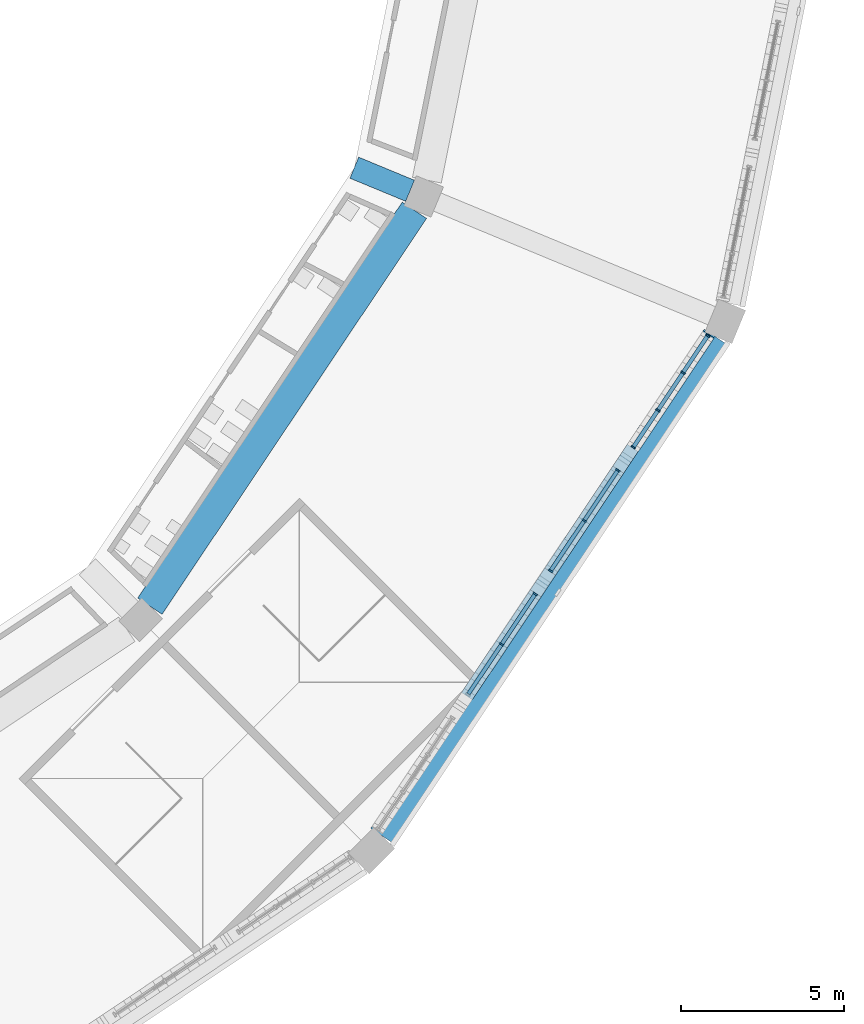
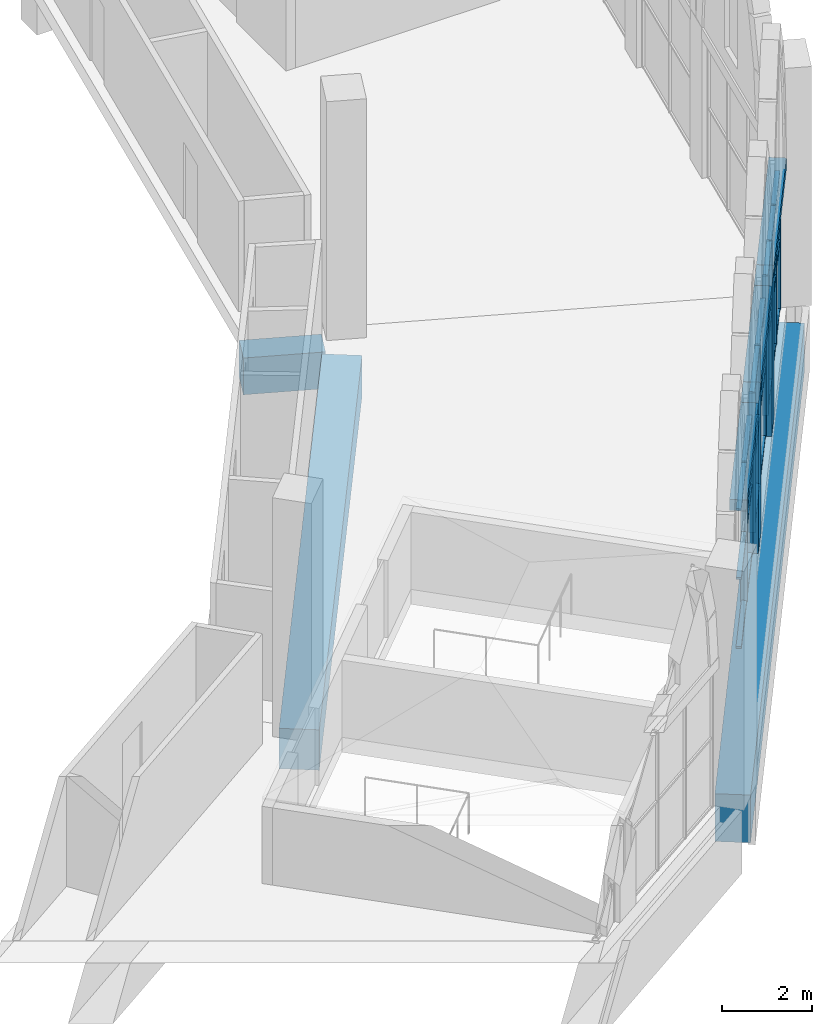
# One storey, part 19 of 130: 32 members, 6 beams, 3 elements without a shape of their own.
"""IFC4 building model written with IfcOpenShell, lengths in metres."""

from ifc_helpers import new_model, si_unit, direction, frame, origin, origin_2d, place, context, subcontext, project, spatial, rectangle, extrude, material, material_profile, profile_set, type_object, element, aggregate, save


model = new_model("IFC4")

# Units and contexts
model_context = context("Model", 3, precision=1e-05, world=origin(), true_north=direction((0.0, 1.0)))
body_context = subcontext(model_context, "Body", "Model", "MODEL_VIEW")
ifc_project = project(units=[si_unit("LENGTHUNIT", "METRE"), si_unit("AREAUNIT", "SQUARE_METRE"), si_unit("VOLUMEUNIT", "CUBIC_METRE"), si_unit("PLANEANGLEUNIT", "RADIAN"), si_unit("MASSUNIT", "GRAM", prefix="KILO")], contexts=[model_context])

# Site, building, storey
site_placement = place(None, origin())
site = spatial("IfcSite", under=ifc_project, at=site_placement, CompositionType="ELEMENT")
building_placement = place(site_placement, origin())
building = spatial("IfcBuilding", under=site, at=building_placement, Name="Ogive Plaza Stadium", CompositionType="ELEMENT")
storey_placement = place(building_placement, frame((0.0, 0.0, 22.5)))
storey = spatial("IfcBuildingStorey", under=building, at=storey_placement, Name="L05", CompositionType="ELEMENT", Elevation=22.5)

# Curtain wall, members
ifc_material_1 = material(Name="Bronze-anodised aluminium with laminated glass", Category="aluminium")
curtain_wall_type = type_object("IfcCurtainWallType", Name="Lancet curtain wall", PredefinedType="NOTDEFINED", material=ifc_material_1)
curtain_wall_1_placement = place(storey_placement, origin())
curtain_wall_1 = element("IfcCurtainWall", 1, at=curtain_wall_1_placement, inside=storey, type_object=curtain_wall_type, Name="CURTAIN WALL B09 L05", PredefinedType="NOTDEFINED")
ifc_material_2 = material(Name="Bronze-anodised aluminium", Category="aluminium")
ifc_material_profile_1 = material_profile(ifc_material_2, rectangle(XDim=0.14990234375, YDim=0.050048828125, at=origin_2d()), Name="AL 150x50")
ifc_profile_set_1 = profile_set([ifc_material_profile_1], Name="Bronze-anodised aluminium")
member_type_1 = type_object("IfcMemberType", Name="Curtain wall mullion 50x150", PredefinedType="MULLION", material=ifc_profile_set_1)
member_1_placement = place(storey_placement, frame((79.657958984375, -72.076171875, 0.0), z_axis=(0.0, 0.0, 1.0), x_axis=(0.83146961239, -0.555570232889, 0.0)))
member_1 = element("IfcMember", 2, at=member_1_placement, type_object=member_type_1, Name="CW-B09-L05.1 mullion 1", PredefinedType="MULLION", context=body_context, shape_type="SweptSolid", body=[
    extrude(rectangle(XDim=0.14990234375, YDim=0.050048828125, at=origin_2d()), origin(), (0.0, 0.0, 1.0), 3.800048828125),
])
member_2_placement = place(storey_placement, frame((78.902099609375, -73.207763671875, 0.0), z_axis=(0.0, 0.0, 1.0), x_axis=(0.83146961239, -0.555570232889, 0.0)))
member_2 = element("IfcMember", 3, at=member_2_placement, type_object=member_type_1, Name="CW-B09-L05.1 mullion 2", PredefinedType="MULLION", context=body_context, shape_type="SweptSolid", body=[
    extrude(rectangle(XDim=0.14990234375, YDim=0.050048828125, at=origin_2d()), origin(), (0.0, 0.0, 1.0), 3.800048828125),
])
member_3_placement = place(storey_placement, frame((78.13232421875, -74.35986328125, 0.0), z_axis=(0.0, 0.0, 1.0), x_axis=(0.83146961239, -0.555570232889, 0.0)))
member_3 = element("IfcMember", 4, at=member_3_placement, type_object=member_type_1, Name="CW-B09-L05.1 mullion 3", PredefinedType="MULLION", context=body_context, shape_type="SweptSolid", body=[
    extrude(rectangle(XDim=0.14990234375, YDim=0.050048828125, at=origin_2d()), origin(), (0.0, 0.0, 1.0), 3.800048828125),
])
member_4_placement = place(storey_placement, frame((77.376220703125, -75.4912109375, 0.0), z_axis=(0.0, 0.0, 1.0), x_axis=(0.83146961239, -0.555570232889, 0.0)))
member_4 = element("IfcMember", 5, at=member_4_placement, type_object=member_type_1, Name="CW-B09-L05.1 mullion 4", PredefinedType="MULLION", context=body_context, shape_type="SweptSolid", body=[
    extrude(rectangle(XDim=0.14990234375, YDim=0.050048828125, at=origin_2d()), origin(), (0.0, 0.0, 1.0), 3.800048828125),
])

curtain_wall_2_placement = place(storey_placement, origin())
curtain_wall_2 = element("IfcCurtainWall", 6, at=curtain_wall_2_placement, inside=storey, type_object=curtain_wall_type, Name="CURTAIN WALL B09 L05", PredefinedType="NOTDEFINED")
member_5_placement = place(storey_placement, frame((76.904052734375, -76.197998046875, 0.0), z_axis=(0.0, 0.0, 1.0), x_axis=(0.831469612157, -0.555570233237, 0.0)))
member_5 = element("IfcMember", 7, at=member_5_placement, type_object=member_type_1, Name="CW-B09-L05.2 mullion 1", PredefinedType="MULLION", context=body_context, shape_type="SweptSolid", body=[
    extrude(rectangle(XDim=0.14990234375, YDim=0.050048828125, at=origin_2d()), origin(), (0.0, 0.0, 1.0), 3.800048828125),
])
member_6_placement = place(storey_placement, frame((75.874267578125, -77.739013671875, 0.0), z_axis=(0.0, 0.0, 1.0), x_axis=(0.831469612157, -0.555570233237, 0.0)))
member_6 = element("IfcMember", 8, at=member_6_placement, type_object=member_type_1, Name="CW-B09-L05.2 mullion 2", PredefinedType="MULLION", context=body_context, shape_type="SweptSolid", body=[
    extrude(rectangle(XDim=0.14990234375, YDim=0.050048828125, at=origin_2d()), origin(), (0.0, 0.0, 1.0), 3.800048828125),
])
member_7_placement = place(storey_placement, frame((74.844482421875, -79.2802734375, 0.0), z_axis=(0.0, 0.0, 1.0), x_axis=(0.831469612157, -0.555570233237, 0.0)))
member_7 = element("IfcMember", 9, at=member_7_placement, type_object=member_type_1, Name="CW-B09-L05.2 mullion 3", PredefinedType="MULLION", context=body_context, shape_type="SweptSolid", body=[
    extrude(rectangle(XDim=0.14990234375, YDim=0.050048828125, at=origin_2d()), origin(), (0.0, 0.0, 1.0), 3.800048828125),
])

curtain_wall_3_placement = place(storey_placement, origin())
curtain_wall_3 = element("IfcCurtainWall", 10, at=curtain_wall_3_placement, inside=storey, type_object=curtain_wall_type, Name="CURTAIN WALL B09 L05", PredefinedType="NOTDEFINED")
member_8_placement = place(storey_placement, frame((74.372314453125, -79.987060546875, 0.0), z_axis=(0.0, 0.0, 1.0), x_axis=(0.831469612235, -0.555570233121, 0.0)))
member_8 = element("IfcMember", 11, at=member_8_placement, type_object=member_type_1, Name="CW-B09-L05.3 mullion 1", PredefinedType="MULLION", context=body_context, shape_type="SweptSolid", body=[
    extrude(rectangle(XDim=0.14990234375, YDim=0.050048828125, at=origin_2d()), origin(), (0.0, 0.0, 1.0), 3.800048828125),
])
member_9_placement = place(storey_placement, frame((73.342529296875, -81.528076171875, 0.0), z_axis=(0.0, 0.0, 1.0), x_axis=(0.831469612235, -0.555570233121, 0.0)))
member_9 = element("IfcMember", 12, at=member_9_placement, type_object=member_type_1, Name="CW-B09-L05.3 mullion 2", PredefinedType="MULLION", context=body_context, shape_type="SweptSolid", body=[
    extrude(rectangle(XDim=0.14990234375, YDim=0.050048828125, at=origin_2d()), origin(), (0.0, 0.0, 1.0), 3.800048828125),
])

# Member
ifc_material_3 = material(Name="Bronze-anodised aluminium", Category="aluminium")
ifc_material_profile_2 = material_profile(ifc_material_3, rectangle(XDim=0.1201171875, YDim=0.050048828125, at=origin_2d()), Name="AL 120x50")
ifc_profile_set_2 = profile_set([ifc_material_profile_2], Name="Bronze-anodised aluminium")
member_type_2 = type_object("IfcMemberType", Name="Curtain wall transom 50x120", PredefinedType="USERDEFINED", material=ifc_profile_set_2)
member_10_placement = place(storey_placement, frame((79.64404296875, -72.09716796875, 0.02490234375), z_axis=(-0.555559766553, -0.831476605676, 0.0), x_axis=(0.831476605676, -0.555559766553, 0.0)))
member_10 = element("IfcMember", 13, at=member_10_placement, type_object=member_type_2, Name="CW-B09-L05.1 transom 1.1", ObjectType="TRANSOM", PredefinedType="USERDEFINED", context=body_context, shape_type="SweptSolid", body=[
    extrude(rectangle(XDim=0.1201171875, YDim=0.050048828125, at=origin_2d()), origin(), (0.0, 0.0, 1.0), 1.310546875),
])

member_11_placement = place(storey_placement, frame((79.64404296875, -72.09716796875, 1.89990234375), z_axis=(-0.555559766553, -0.831476605676, 0.0), x_axis=(0.831476605676, -0.555559766553, 0.0)))
member_11 = element("IfcMember", 14, at=member_11_placement, type_object=member_type_2, Name="CW-B09-L05.1 transom 1.2", ObjectType="TRANSOM", PredefinedType="USERDEFINED", context=body_context, shape_type="SweptSolid", body=[
    extrude(rectangle(XDim=0.1201171875, YDim=0.050048828125, at=origin_2d()), origin(), (0.0, 0.0, 1.0), 1.310546875),
])

member_12_placement = place(storey_placement, frame((79.64404296875, -72.09716796875, 3.77490234375), z_axis=(-0.555559766553, -0.831476605676, 0.0), x_axis=(0.831476605676, -0.555559766553, 0.0)))
member_12 = element("IfcMember", 15, at=member_12_placement, type_object=member_type_2, Name="CW-B09-L05.1 transom 1.3", ObjectType="TRANSOM", PredefinedType="USERDEFINED", context=body_context, shape_type="SweptSolid", body=[
    extrude(rectangle(XDim=0.1201171875, YDim=0.050048828125, at=origin_2d()), origin(), (0.0, 0.0, 1.0), 1.310546875),
])

member_13_placement = place(storey_placement, frame((78.88818359375, -73.228515625, 0.02490234375), z_axis=(-0.555627772154, -0.831431163002, 0.0), x_axis=(0.831431163002, -0.555627772154, 0.0)))
member_13 = element("IfcMember", 16, at=member_13_placement, type_object=member_type_2, Name="CW-B09-L05.1 transom 2.1", ObjectType="TRANSOM", PredefinedType="USERDEFINED", context=body_context, shape_type="SweptSolid", body=[
    extrude(rectangle(XDim=0.1201171875, YDim=0.050048828125, at=origin_2d()), origin(), (0.0, 0.0, 1.0), 1.335693359375),
])

member_14_placement = place(storey_placement, frame((78.88818359375, -73.228515625, 1.89990234375), z_axis=(-0.555627772154, -0.831431163002, 0.0), x_axis=(0.831431163002, -0.555627772154, 0.0)))
member_14 = element("IfcMember", 17, at=member_14_placement, type_object=member_type_2, Name="CW-B09-L05.1 transom 2.2", ObjectType="TRANSOM", PredefinedType="USERDEFINED", context=body_context, shape_type="SweptSolid", body=[
    extrude(rectangle(XDim=0.1201171875, YDim=0.050048828125, at=origin_2d()), origin(), (0.0, 0.0, 1.0), 1.335693359375),
])

member_15_placement = place(storey_placement, frame((78.88818359375, -73.228515625, 3.77490234375), z_axis=(-0.555627772154, -0.831431163002, 0.0), x_axis=(0.831431163002, -0.555627772154, 0.0)))
member_15 = element("IfcMember", 18, at=member_15_placement, type_object=member_type_2, Name="CW-B09-L05.1 transom 2.3", ObjectType="TRANSOM", PredefinedType="USERDEFINED", context=body_context, shape_type="SweptSolid", body=[
    extrude(rectangle(XDim=0.1201171875, YDim=0.050048828125, at=origin_2d()), origin(), (0.0, 0.0, 1.0), 1.335693359375),
])

member_16_placement = place(storey_placement, frame((78.118408203125, -74.380615234375, 0.02490234375), z_axis=(-0.555602496438, -0.83144805367, 0.0), x_axis=(0.83144805367, -0.555602496438, 0.0)))
member_16 = element("IfcMember", 19, at=member_16_placement, type_object=member_type_2, Name="CW-B09-L05.1 transom 3.1", ObjectType="TRANSOM", PredefinedType="USERDEFINED", context=body_context, shape_type="SweptSolid", body=[
    extrude(rectangle(XDim=0.1201171875, YDim=0.050048828125, at=origin_2d()), origin(), (0.0, 0.0, 1.0), 1.310791015625),
])

member_17_placement = place(storey_placement, frame((78.118408203125, -74.380615234375, 1.89990234375), z_axis=(-0.555602496438, -0.83144805367, 0.0), x_axis=(0.83144805367, -0.555602496438, 0.0)))
member_17 = element("IfcMember", 20, at=member_17_placement, type_object=member_type_2, Name="CW-B09-L05.1 transom 3.2", ObjectType="TRANSOM", PredefinedType="USERDEFINED", context=body_context, shape_type="SweptSolid", body=[
    extrude(rectangle(XDim=0.1201171875, YDim=0.050048828125, at=origin_2d()), origin(), (0.0, 0.0, 1.0), 1.310791015625),
])

member_18_placement = place(storey_placement, frame((78.118408203125, -74.380615234375, 3.77490234375), z_axis=(-0.555602496438, -0.83144805367, 0.0), x_axis=(0.83144805367, -0.555602496438, 0.0)))
member_18 = element("IfcMember", 21, at=member_18_placement, type_object=member_type_2, Name="CW-B09-L05.1 transom 3.3", ObjectType="TRANSOM", PredefinedType="USERDEFINED", context=body_context, shape_type="SweptSolid", body=[
    extrude(rectangle(XDim=0.1201171875, YDim=0.050048828125, at=origin_2d()), origin(), (0.0, 0.0, 1.0), 1.310791015625),
])

aggregate(curtain_wall_1, [member_1, member_2, member_3, member_4, member_10, member_11, member_12, member_13, member_14, member_15, member_16, member_17, member_18])

member_19_placement = place(storey_placement, frame((76.89013671875, -76.21875, 0.02490234375), z_axis=(-0.555574613559, -0.831466685303, 0.0), x_axis=(0.831466685303, -0.555574613559, 0.0)))
member_19 = element("IfcMember", 22, at=member_19_placement, type_object=member_type_2, Name="CW-B09-L05.2 transom 1.1", ObjectType="TRANSOM", PredefinedType="USERDEFINED", context=body_context, shape_type="SweptSolid", body=[
    extrude(rectangle(XDim=0.1201171875, YDim=0.050048828125, at=origin_2d()), origin(), (0.0, 0.0, 1.0), 1.803466796875),
])

member_20_placement = place(storey_placement, frame((76.89013671875, -76.21875, 1.89990234375), z_axis=(-0.555574613559, -0.831466685303, 0.0), x_axis=(0.831466685303, -0.555574613559, 0.0)))
member_20 = element("IfcMember", 23, at=member_20_placement, type_object=member_type_2, Name="CW-B09-L05.2 transom 1.2", ObjectType="TRANSOM", PredefinedType="USERDEFINED", context=body_context, shape_type="SweptSolid", body=[
    extrude(rectangle(XDim=0.1201171875, YDim=0.050048828125, at=origin_2d()), origin(), (0.0, 0.0, 1.0), 1.803466796875),
])

member_21_placement = place(storey_placement, frame((76.89013671875, -76.21875, 3.77490234375), z_axis=(-0.555574613559, -0.831466685303, 0.0), x_axis=(0.831466685303, -0.555574613559, 0.0)))
member_21 = element("IfcMember", 24, at=member_21_placement, type_object=member_type_2, Name="CW-B09-L05.2 transom 1.3", ObjectType="TRANSOM", PredefinedType="USERDEFINED", context=body_context, shape_type="SweptSolid", body=[
    extrude(rectangle(XDim=0.1201171875, YDim=0.050048828125, at=origin_2d()), origin(), (0.0, 0.0, 1.0), 1.803466796875),
])

member_22_placement = place(storey_placement, frame((75.8603515625, -77.760009765625, 0.02490234375), z_axis=(-0.555574613559, -0.831466685303, 0.0), x_axis=(0.831466685303, -0.555574613559, 0.0)))
member_22 = element("IfcMember", 25, at=member_22_placement, type_object=member_type_2, Name="CW-B09-L05.2 transom 2.1", ObjectType="TRANSOM", PredefinedType="USERDEFINED", context=body_context, shape_type="SweptSolid", body=[
    extrude(rectangle(XDim=0.1201171875, YDim=0.050048828125, at=origin_2d()), origin(), (0.0, 0.0, 1.0), 1.803466796875),
])

member_23_placement = place(storey_placement, frame((75.8603515625, -77.760009765625, 1.89990234375), z_axis=(-0.555574613559, -0.831466685303, 0.0), x_axis=(0.831466685303, -0.555574613559, 0.0)))
member_23 = element("IfcMember", 26, at=member_23_placement, type_object=member_type_2, Name="CW-B09-L05.2 transom 2.2", ObjectType="TRANSOM", PredefinedType="USERDEFINED", context=body_context, shape_type="SweptSolid", body=[
    extrude(rectangle(XDim=0.1201171875, YDim=0.050048828125, at=origin_2d()), origin(), (0.0, 0.0, 1.0), 1.803466796875),
])

member_24_placement = place(storey_placement, frame((75.8603515625, -77.760009765625, 3.77490234375), z_axis=(-0.555574613559, -0.831466685303, 0.0), x_axis=(0.831466685303, -0.555574613559, 0.0)))
member_24 = element("IfcMember", 27, at=member_24_placement, type_object=member_type_2, Name="CW-B09-L05.2 transom 2.3", ObjectType="TRANSOM", PredefinedType="USERDEFINED", context=body_context, shape_type="SweptSolid", body=[
    extrude(rectangle(XDim=0.1201171875, YDim=0.050048828125, at=origin_2d()), origin(), (0.0, 0.0, 1.0), 1.803466796875),
])

aggregate(curtain_wall_2, [member_5, member_6, member_7, member_19, member_20, member_21, member_22, member_23, member_24])

member_25_placement = place(storey_placement, frame((74.3583984375, -80.0078125, 0.02490234375), z_axis=(-0.555574613559, -0.831466685303, 0.0), x_axis=(0.831466685303, -0.555574613559, 0.0)))
member_25 = element("IfcMember", 28, at=member_25_placement, type_object=member_type_2, Name="CW-B09-L05.3 transom 1.1", ObjectType="TRANSOM", PredefinedType="USERDEFINED", context=body_context, shape_type="SweptSolid", body=[
    extrude(rectangle(XDim=0.1201171875, YDim=0.050048828125, at=origin_2d()), origin(), (0.0, 0.0, 1.0), 1.803466796875),
])

member_26_placement = place(storey_placement, frame((74.3583984375, -80.0078125, 1.89990234375), z_axis=(-0.555574613559, -0.831466685303, 0.0), x_axis=(0.831466685303, -0.555574613559, 0.0)))
member_26 = element("IfcMember", 29, at=member_26_placement, type_object=member_type_2, Name="CW-B09-L05.3 transom 1.2", ObjectType="TRANSOM", PredefinedType="USERDEFINED", context=body_context, shape_type="SweptSolid", body=[
    extrude(rectangle(XDim=0.1201171875, YDim=0.050048828125, at=origin_2d()), origin(), (0.0, 0.0, 1.0), 1.803466796875),
])

member_27_placement = place(storey_placement, frame((74.3583984375, -80.0078125, 3.77490234375), z_axis=(-0.555574613559, -0.831466685303, 0.0), x_axis=(0.831466685303, -0.555574613559, 0.0)))
member_27 = element("IfcMember", 30, at=member_27_placement, type_object=member_type_2, Name="CW-B09-L05.3 transom 1.3", ObjectType="TRANSOM", PredefinedType="USERDEFINED", context=body_context, shape_type="SweptSolid", body=[
    extrude(rectangle(XDim=0.1201171875, YDim=0.050048828125, at=origin_2d()), origin(), (0.0, 0.0, 1.0), 1.803466796875),
])

member_28_placement = place(storey_placement, frame((73.32861328125, -81.549072265625, 0.02490234375), z_axis=(-0.555574613559, -0.831466685303, 0.0), x_axis=(0.831466685303, -0.555574613559, 0.0)))
member_28 = element("IfcMember", 31, at=member_28_placement, type_object=member_type_2, Name="CW-B09-L05.3 transom 2.1", ObjectType="TRANSOM", PredefinedType="USERDEFINED", context=body_context, shape_type="SweptSolid", body=[
    extrude(rectangle(XDim=0.1201171875, YDim=0.050048828125, at=origin_2d()), origin(), (0.0, 0.0, 1.0), 1.803466796875),
])

member_29_placement = place(storey_placement, frame((73.32861328125, -81.549072265625, 1.89990234375), z_axis=(-0.555574613559, -0.831466685303, 0.0), x_axis=(0.831466685303, -0.555574613559, 0.0)))
member_29 = element("IfcMember", 32, at=member_29_placement, type_object=member_type_2, Name="CW-B09-L05.3 transom 2.2", ObjectType="TRANSOM", PredefinedType="USERDEFINED", context=body_context, shape_type="SweptSolid", body=[
    extrude(rectangle(XDim=0.1201171875, YDim=0.050048828125, at=origin_2d()), origin(), (0.0, 0.0, 1.0), 1.803466796875),
])

member_30_placement = place(storey_placement, frame((73.32861328125, -81.549072265625, 3.77490234375), z_axis=(-0.555574613559, -0.831466685303, 0.0), x_axis=(0.831466685303, -0.555574613559, 0.0)))
member_30 = element("IfcMember", 33, at=member_30_placement, type_object=member_type_2, Name="CW-B09-L05.3 transom 2.3", ObjectType="TRANSOM", PredefinedType="USERDEFINED", context=body_context, shape_type="SweptSolid", body=[
    extrude(rectangle(XDim=0.1201171875, YDim=0.050048828125, at=origin_2d()), origin(), (0.0, 0.0, 1.0), 1.803466796875),
])

aggregate(curtain_wall_3, [member_8, member_9, member_25, member_26, member_27, member_28, member_29, member_30])

# Members
ifc_material_4 = material(Name="Concrete C45/55 precast", Category="concrete")
ifc_material_profile_3 = material_profile(ifc_material_4, rectangle(XDim=0.39990234375, YDim=0.800048828125, at=origin_2d()), Name="RC 400x800")
ifc_profile_set_3 = profile_set([ifc_material_profile_3], Name="Concrete C45/55 precast")
member_type_3 = type_object("IfcMemberType", Name="Precast colonette 800x400", PredefinedType="POST", material=ifc_profile_set_3)
for number, where, z_axis, x_axis, name in (
    (34, (77.14013671875, -75.844482421875, 0.0), (0.0, 0.0, 1.0), (0.831469612303, -0.55557023302, 0.0), "COLONETTE B09 1"),
    (35, (74.6083984375, -79.633544921875, 0.0), (0.0, 0.0, 1.0), (0.831469612303, -0.55557023302, 0.0), "COLONETTE B09 2"),
):
    element("IfcMember", number, at=place(storey_placement, frame(where, z_axis=z_axis, x_axis=x_axis)), inside=storey, type_object=member_type_3, Name=name, PredefinedType="POST", context=body_context, shape_type="SweptSolid", body=[
        extrude(rectangle(XDim=0.39990234375, YDim=0.800048828125, at=origin_2d()), origin(), (0.0, 0.0, 1.0), 4.10009765625),
    ])

# Beams
ifc_material_5 = material(Name="Concrete C45/55 precast", Category="concrete")
ifc_material_profile_4 = material_profile(ifc_material_5, rectangle(XDim=0.39990234375, YDim=0.300048828125, at=origin_2d()), Name="RC 400x300")
ifc_profile_set_4 = profile_set([ifc_material_profile_4], Name="Concrete C45/55 precast")
beam_type_1 = type_object("IfcBeamType", Name="Precast tympanum lintel 400x300", PredefinedType="BEAM", material=ifc_profile_set_4)
beam_1_placement = place(storey_placement, frame((79.6884765625, -72.030517578125, 3.949951171875), z_axis=(-0.555554959537, -0.831479817514, 0.0), x_axis=(0.831479817514, -0.555554959537, 0.0)))
element("IfcBeam", 36, at=beam_1_placement, inside=storey, type_object=beam_type_1, Name="TYMPANUM LINTEL B09 1", PredefinedType="BEAM", context=body_context, shape_type="SweptSolid", body=[
    extrude(rectangle(XDim=0.39990234375, YDim=0.300048828125, at=origin_2d()), origin(), (0.0, 0.0, 1.0), 4.217041015625),
])
beam_2_placement = place(storey_placement, frame((76.9345703125, -76.152099609375, 3.949951171875), z_axis=(-0.555555981733, -0.831479134531, 0.0), x_axis=(0.831479134531, -0.555555981733, 0.0)))
element("IfcBeam", 37, at=beam_2_placement, inside=storey, type_object=beam_type_1, Name="TYMPANUM LINTEL B09 2", PredefinedType="BEAM", context=body_context, shape_type="SweptSolid", body=[
    extrude(rectangle(XDim=0.39990234375, YDim=0.300048828125, at=origin_2d()), origin(), (0.0, 0.0, 1.0), 3.817138671875),
])
beam_3_placement = place(storey_placement, frame((74.40283203125, -79.94140625, 3.949951171875), z_axis=(-0.555585528171, -0.831459392206, 0.0), x_axis=(0.831459392206, -0.555585528171, 0.0)))
element("IfcBeam", 38, at=beam_3_placement, inside=storey, type_object=beam_type_1, Name="TYMPANUM LINTEL B09 3", PredefinedType="BEAM", context=body_context, shape_type="SweptSolid", body=[
    extrude(rectangle(XDim=0.39990234375, YDim=0.300048828125, at=origin_2d()), origin(), (0.0, 0.0, 1.0), 3.81689453125),
])
ifc_material_6 = material(Name="Concrete C40/50", Category="concrete")
ifc_material_profile_5 = material_profile(ifc_material_6, rectangle(XDim=0.699951171875, YDim=1.0, at=origin_2d()), Name="RC 700x1000")
ifc_profile_set_5 = profile_set([ifc_material_profile_5], Name="Concrete C40/50")
beam_type_2 = type_object("IfcBeamType", Name="RC radial beam 700x1000", PredefinedType="BEAM", material=ifc_profile_set_5)
beam_4_placement = place(storey_placement, frame((68.830322265625, -66.92724609375, -0.909912109375), z_axis=(0.923921946364, -0.382581020213, 0.0), x_axis=(0.382581020213, 0.923921946364, 0.0)))
element("IfcBeam", 39, at=beam_4_placement, inside=storey, type_object=beam_type_2, Name="Raker tail beam UT R09", PredefinedType="BEAM", context=body_context, shape_type="SweptSolid", body=[
    extrude(rectangle(XDim=0.699951171875, YDim=1.0, at=origin_2d()), origin(), (0.0, 0.0, 1.0), 1.849853515625),
])
ifc_material_7 = material(Name="Concrete C40/50", Category="concrete")
ifc_material_profile_6 = material_profile(ifc_material_7, rectangle(XDim=0.89990234375, YDim=1.10009765625, at=origin_2d()), Name="RC 900x1100")
ifc_profile_set_6 = profile_set([ifc_material_profile_6], Name="Concrete C40/50")
beam_type_3 = type_object("IfcBeamType", Name="RC ring beam 900x1100", PredefinedType="BEAM", material=ifc_profile_set_6)
beam_5_placement = place(storey_placement, frame((70.671875, -68.231201171875, -0.9599609375), z_axis=(-0.555572744827, -0.831467933961, 0.0), x_axis=(0.831467933961, -0.555572744827, 0.0)))
element("IfcBeam", 40, at=beam_5_placement, inside=storey, type_object=beam_type_3, Name="Ring beam F4 L05 B09", PredefinedType="BEAM", context=body_context, shape_type="SweptSolid", body=[
    extrude(rectangle(XDim=0.89990234375, YDim=1.10009765625, at=origin_2d()), origin(), (0.0, 0.0, 1.0), 14.587646484375),
])
ifc_material_8 = material(Name="Concrete C40/50", Category="concrete")
ifc_material_profile_7 = material_profile(ifc_material_8, rectangle(XDim=0.800048828125, YDim=1.300048828125, at=origin_2d()), Name="RC 800x1300")
ifc_profile_set_7 = profile_set([ifc_material_profile_7], Name="Concrete C40/50")
beam_type_4 = type_object("IfcBeamType", Name="RC spandrel beam 800x1300", PredefinedType="SPANDREL", material=ifc_profile_set_7)
beam_6_placement = place(storey_placement, frame((79.88232421875, -72.100341796875, -1.06005859375), z_axis=(-0.555557833169, -0.831477897484, 0.0), x_axis=(0.831477897484, -0.555557833169, 0.0)))
element("IfcBeam", 41, at=beam_6_placement, inside=storey, type_object=beam_type_4, Name="Ring beam F5 L05 B09", PredefinedType="SPANDREL", context=body_context, shape_type="SweptSolid", body=[
    extrude(rectangle(XDim=0.800048828125, YDim=1.300048828125, at=origin_2d()), origin(), (0.0, 0.0, 1.0), 18.387451171875),
])

save(model, "model.ifc")
